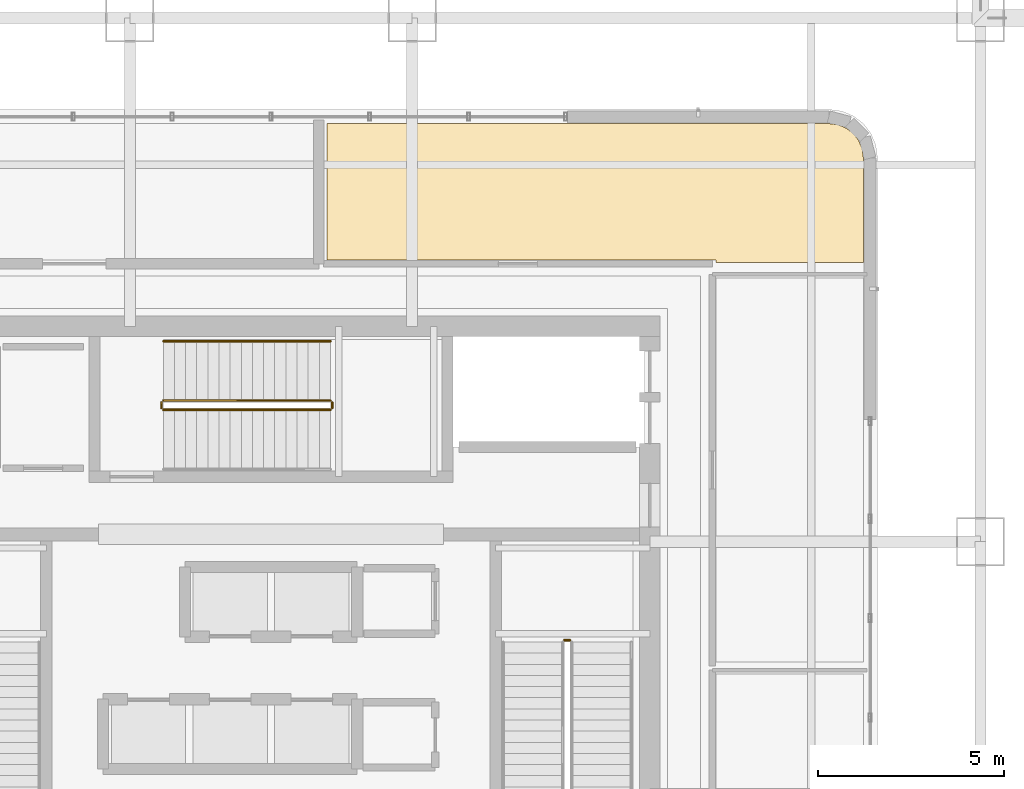
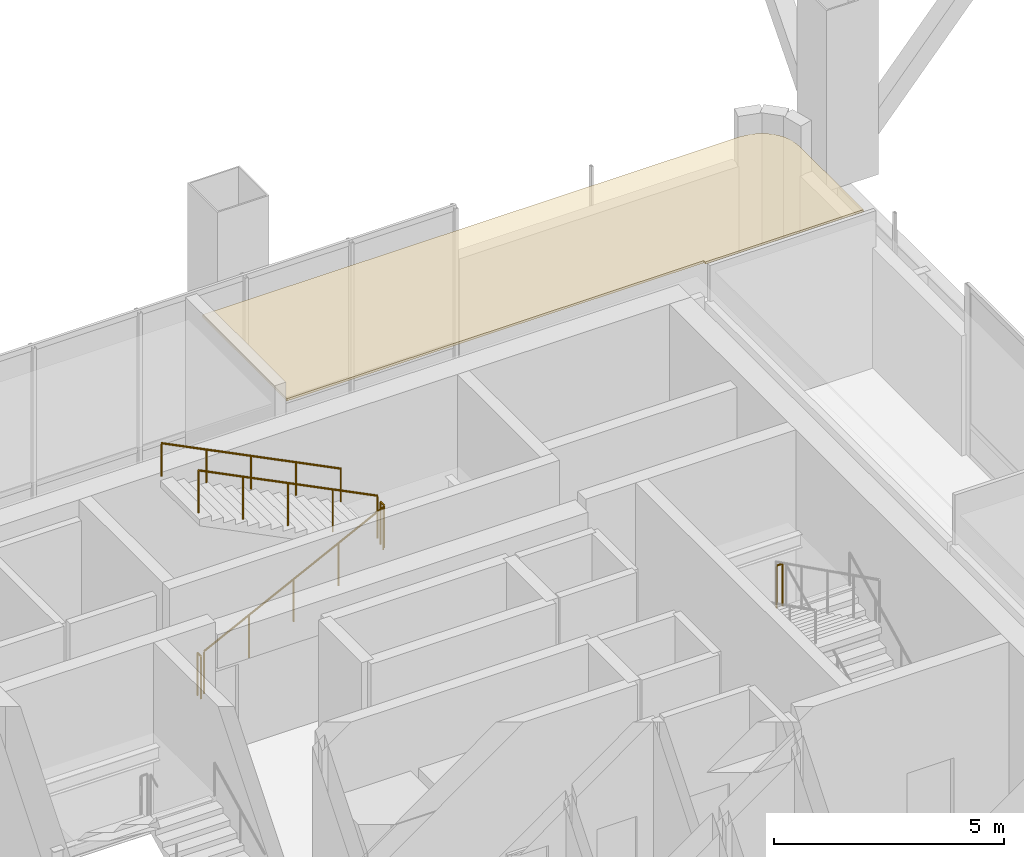
# One storey, part 28 of 33: 6 railings, 1 covering.
"""IFC4 building model written with IfcOpenShell, lengths in metres."""

from ifc_helpers import new_model, si_unit, direction, frame, origin, origin_2d, place, context, subcontext, project, spatial, polyline, circle, outline, extrude, material, layer, layer_set, type_object, element, save


model = new_model("IFC4")

# Units and contexts
model_context = context("Model", 3, precision=1e-05, world=origin(), true_north=direction((0.0, 1.0)))
body_context = subcontext(model_context, "Body", "Model", "MODEL_VIEW")
ifc_project = project(units=[si_unit("LENGTHUNIT", "METRE"), si_unit("AREAUNIT", "SQUARE_METRE"), si_unit("VOLUMEUNIT", "CUBIC_METRE"), si_unit("PLANEANGLEUNIT", "RADIAN"), si_unit("MASSUNIT", "GRAM", prefix="KILO")], contexts=[model_context])

# Site, building, storey
site_placement = place(None, origin())
site = spatial("IfcSite", under=ifc_project, at=site_placement, CompositionType="ELEMENT")
building_placement = place(site_placement, origin())
building = spatial("IfcBuilding", under=site, at=building_placement, Name="Punatoya Terracotta Tower", CompositionType="ELEMENT")
storey_placement = place(building_placement, frame((0.0, 0.0, 246.60009765625)))
storey = spatial("IfcBuildingStorey", under=building, at=storey_placement, Name="L58", CompositionType="ELEMENT", Elevation=246.60009765625)

# Covering
ifc_material_1 = material(Name="Acoustic Mineral Fibre Ceiling")
ifc_layer = layer(ifc_material_1, 0.06005859375)
ifc_layer_set = layer_set([ifc_layer], Name="Acoustic Mineral Fibre Ceiling")
covering_type = type_object("IfcCoveringType", Name="COV-CEIL-60", PredefinedType="CEILING", material=ifc_layer_set)
covering_placement = place(storey_placement, frame((0.0, 0.0, 3.929931640625)))
element("IfcCovering", 1, at=covering_placement, inside=storey, type_object=covering_type, Name="L58 Sky Lobby Transfer Lounge Acoustic Ceiling", PredefinedType="CEILING", context=body_context, shape_type="SweptSolid", body=[
    extrude(outline(polyline([(11.97998046875, 10.919921875), (15.949951171875, 10.919921875), (15.949951171875, 13.715087890625), (15.91552734375, 13.977294921875), (15.823974609375, 14.1982421875), (15.67822265625, 14.38818359375), (15.48828125, 14.533935546875), (15.267333984375, 14.62548828125), (15.005126953125, 14.659912109375), (1.506103515625, 14.659912109375), (1.506103515625, 10.97998046875), (11.97998046875, 10.97998046875), (11.97998046875, 10.919921875)])), origin(), (0.0, 0.0, 1.0), 0.06005859375),
])

# Railings
ifc_material_2 = material(Name="Steel S355", Category="steel")
railing_type_1 = type_object("IfcRailingType", Name="RLG-GRD-1150", PredefinedType="GUARDRAIL", material=ifc_material_2)
railing_1_placement = place(storey_placement, frame((8.050048828125, 0.75, 2.39990234375)))
element("IfcRailing", 2, at=railing_1_placement, inside=storey, type_object=railing_type_1, Name="L58 ST-2 stair guard 2", PredefinedType="GUARDRAIL", context=body_context, shape_type="SweptSolid", body=[
    extrude(circle(Radius=0.02392578125, at=origin_2d()), frame((0.0, 0.0, 1.1259765625), z_axis=(-1.0, 0.0, 0.0), x_axis=(0.0, -1.0, 0.0)), (0.0, 0.0, 1.0), 0.150146484375),
    extrude(circle(Radius=0.02099609375, at=origin_2d()), origin(), (0.0, 0.0, 1.0), 1.101806640625),
    extrude(circle(Radius=0.02099609375, at=origin_2d()), frame((-0.150146484375, 0.0, 0.0)), (0.0, 0.0, 1.0), 1.101806640625),
])
railing_2_placement = place(storey_placement, frame((-2.89990234375, 6.949951171875, 0.14990234375)))
element("IfcRailing", 3, at=railing_2_placement, inside=storey, type_object=railing_type_1, Name="L58 ST-3 stair guard 1", PredefinedType="GUARDRAIL", context=body_context, shape_type="SweptSolid", body=[
    extrude(circle(Radius=0.02392578125, at=origin_2d()), frame((0.0, 0.0, 1.1259765625), z_axis=(0.894427191, 0.0, 0.4472135955), x_axis=(0.0, 1.0, 0.0)), (0.0, 0.0, 1.0), 5.03125),
    extrude(circle(Radius=0.02099609375, at=origin_2d()), origin(), (0.0, 0.0, 1.0), 1.101806640625),
    extrude(circle(Radius=0.02099609375, at=origin_2d()), frame((1.125, 0.0, 0.5625)), (0.0, 0.0, 1.0), 1.101806640625),
    extrude(circle(Radius=0.02099609375, at=origin_2d()), frame((2.25, 0.0, 1.125)), (0.0, 0.0, 1.0), 1.101806640625),
    extrude(circle(Radius=0.02099609375, at=origin_2d()), frame((3.375, 0.0, 1.6875)), (0.0, 0.0, 1.0), 1.101806640625),
    extrude(circle(Radius=0.02099609375, at=origin_2d()), frame((4.5, 0.0, 2.25)), (0.0, 0.0, 1.0), 1.101806640625),
])
railing_3_placement = place(storey_placement, frame((1.64990234375, 7.0, 2.39990234375)))
element("IfcRailing", 4, at=railing_3_placement, inside=storey, type_object=railing_type_1, Name="L58 ST-3 stair guard 2", PredefinedType="GUARDRAIL", context=body_context, shape_type="SweptSolid", body=[
    extrude(circle(Radius=0.02392578125, at=origin_2d()), frame((0.0, 0.0, 1.1259765625), z_axis=(0.0, 1.0, 0.0), x_axis=(-1.0, 0.0, 0.0)), (0.0, 0.0, 1.0), 0.14990234375),
    extrude(circle(Radius=0.02099609375, at=origin_2d()), origin(), (0.0, 0.0, 1.0), 1.101806640625),
    extrude(circle(Radius=0.02099609375, at=origin_2d()), frame((0.0, 0.14990234375, 0.0)), (0.0, 0.0, 1.0), 1.101806640625),
])
railing_4_placement = place(storey_placement, frame((1.60009765625, 7.199951171875, 2.5498046875)))
element("IfcRailing", 5, at=railing_4_placement, inside=storey, type_object=railing_type_1, Name="L58 ST-3 stair guard 3", PredefinedType="GUARDRAIL", context=body_context, shape_type="SweptSolid", body=[
    extrude(circle(Radius=0.02392578125, at=origin_2d()), frame((0.0, 0.0, 1.1259765625), z_axis=(-0.894427191, 0.0, 0.4472135955), x_axis=(0.0, -1.0, 0.0)), (0.0, 0.0, 1.0), 5.03125),
    extrude(circle(Radius=0.02099609375, at=origin_2d()), origin(), (0.0, 0.0, 1.0), 1.101806640625),
    extrude(circle(Radius=0.02099609375, at=origin_2d()), frame((-1.125, 0.0, 0.5625)), (0.0, 0.0, 1.0), 1.101806640625),
    extrude(circle(Radius=0.02099609375, at=origin_2d()), frame((-2.25, 0.0, 1.125)), (0.0, 0.0, 1.0), 1.101806640625),
    extrude(circle(Radius=0.02099609375, at=origin_2d()), frame((-3.375, 0.0, 1.6875)), (0.0, 0.0, 1.0), 1.101806640625),
    extrude(circle(Radius=0.02099609375, at=origin_2d()), frame((-4.5, 0.0, 2.25)), (0.0, 0.0, 1.0), 1.101806640625),
])
railing_5_placement = place(storey_placement, frame((-2.949951171875, 7.0, 0.0)))
element("IfcRailing", 6, at=railing_5_placement, inside=storey, type_object=railing_type_1, Name="L58 ST-3 stair guard 4", PredefinedType="GUARDRAIL", context=body_context, shape_type="SweptSolid", body=[
    extrude(circle(Radius=0.02392578125, at=origin_2d()), frame((0.0, 0.0, 1.1259765625), z_axis=(0.0, 1.0, 0.0), x_axis=(-1.0, 0.0, 0.0)), (0.0, 0.0, 1.0), 0.14990234375),
    extrude(circle(Radius=0.02099609375, at=origin_2d()), origin(), (0.0, 0.0, 1.0), 1.101806640625),
    extrude(circle(Radius=0.02099609375, at=origin_2d()), frame((0.0, 0.14990234375, 0.0)), (0.0, 0.0, 1.0), 1.101806640625),
])
railing_type_2 = type_object("IfcRailingType", Name="RLG-HND-900", PredefinedType="HANDRAIL", material=ifc_material_2)
railing_6_placement = place(storey_placement, frame((1.60009765625, 8.800048828125, 2.5498046875)))
element("IfcRailing", 7, at=railing_6_placement, inside=storey, type_object=railing_type_2, Name="L58 ST-3 stair handrail 2", PredefinedType="HANDRAIL", context=body_context, shape_type="SweptSolid", body=[
    extrude(circle(Radius=0.02392578125, at=origin_2d()), frame((0.0, 0.0, 0.8759765625), z_axis=(-0.894427191, 0.0, 0.4472135955), x_axis=(0.0, -1.0, 0.0)), (0.0, 0.0, 1.0), 5.03125),
    extrude(circle(Radius=0.02099609375, at=origin_2d()), origin(), (0.0, 0.0, 1.0), 0.851806640625),
    extrude(circle(Radius=0.02099609375, at=origin_2d()), frame((-1.125, 0.0, 0.5625)), (0.0, 0.0, 1.0), 0.851806640625),
    extrude(circle(Radius=0.02099609375, at=origin_2d()), frame((-2.25, 0.0, 1.125)), (0.0, 0.0, 1.0), 0.851806640625),
    extrude(circle(Radius=0.02099609375, at=origin_2d()), frame((-3.375, 0.0, 1.6875)), (0.0, 0.0, 1.0), 0.851806640625),
    extrude(circle(Radius=0.02099609375, at=origin_2d()), frame((-4.5, 0.0, 2.25)), (0.0, 0.0, 1.0), 0.851806640625),
])

save(model, "model.ifc")
